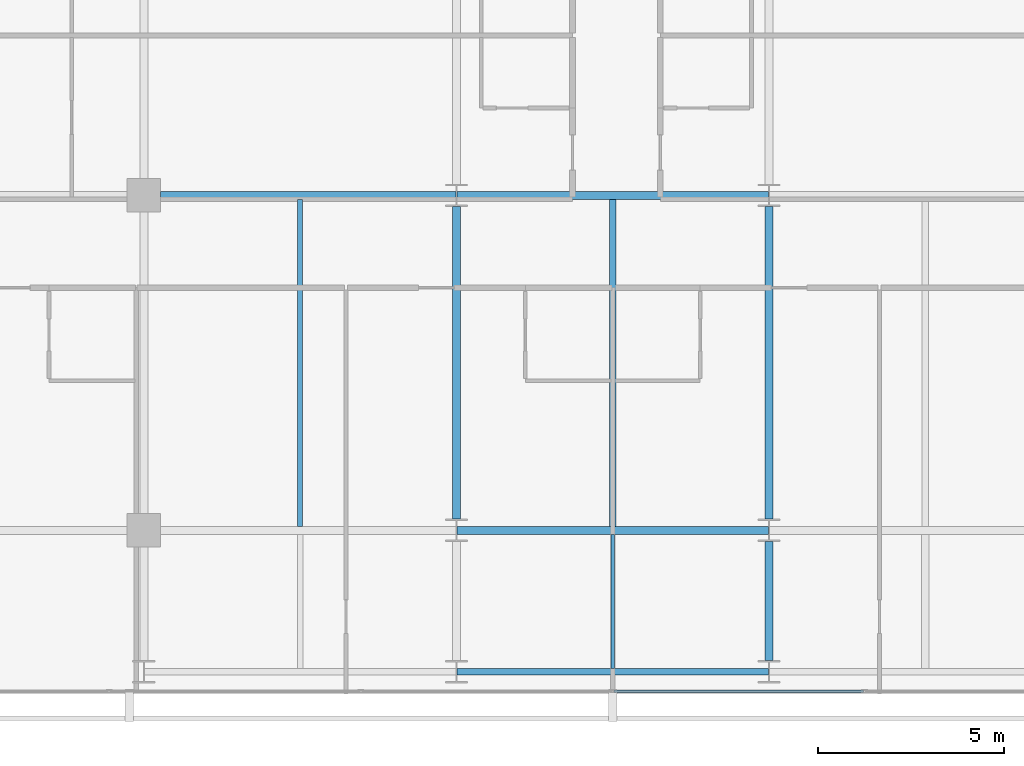
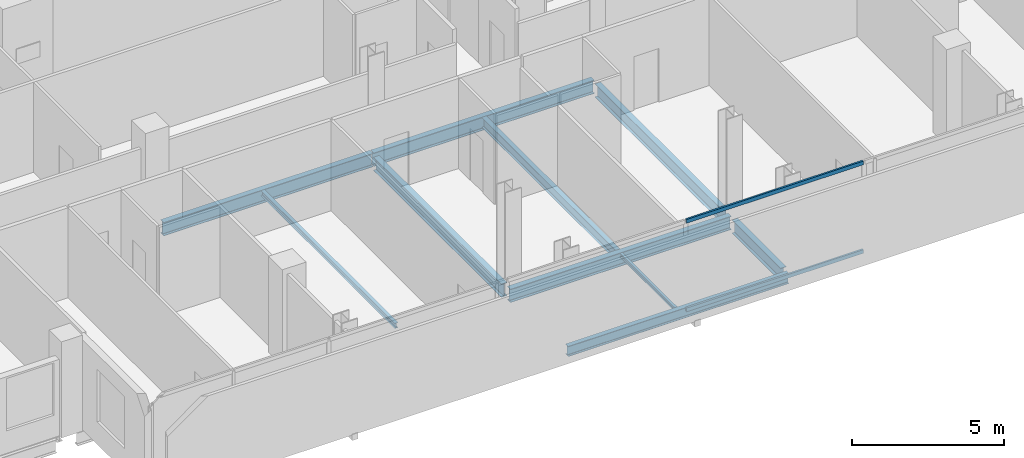
# One storey, part 7 of 34: 10 beams, 2 members, 1 element without a shape of its own.
"""IFC4 building model written with IfcOpenShell, lengths in metres."""

from ifc_helpers import new_model, si_unit, direction, frame, origin, origin_2d, place, context, subcontext, project, spatial, hollow_rectangle, i_section, extrude, material, layer, layer_set, material_profile, profile_set, type_object, element, aggregate, save


model = new_model("IFC4")

# Units and contexts
model_context = context("Model", 3, precision=1e-05, world=origin(), true_north=direction((0.0, 1.0)))
body_context = subcontext(model_context, "Body", "Model", "MODEL_VIEW")
ifc_project = project(units=[si_unit("LENGTHUNIT", "METRE"), si_unit("AREAUNIT", "SQUARE_METRE"), si_unit("VOLUMEUNIT", "CUBIC_METRE"), si_unit("PLANEANGLEUNIT", "RADIAN"), si_unit("MASSUNIT", "GRAM", prefix="KILO")], contexts=[model_context])

# Site, building, storey
site_placement = place(None, origin())
site = spatial("IfcSite", under=ifc_project, at=site_placement, CompositionType="ELEMENT")
building_placement = place(site_placement, origin())
building = spatial("IfcBuilding", under=site, at=building_placement, Name="Maruvema Waterfront Hotel and Observation Tower", CompositionType="ELEMENT")
storey_placement = place(building_placement, frame((0.0, 0.0, 212.10009765625)))
storey = spatial("IfcBuildingStorey", under=building, at=storey_placement, Name="L52", CompositionType="ELEMENT", Elevation=212.10009765625)

# Curtain wall, members
ifc_material_1 = material(Name="Anodised bronze aluminium and solar-control low-E IGU", Category="aluminium")
ifc_layer = layer(ifc_material_1, 0.159912109375, Name="Zone 2 Amber Inner Thermal Curtain Wall System CW-03")
ifc_layer_set = layer_set([ifc_layer], Name="Anodised bronze aluminium and solar-control low-E IGU")
curtain_wall_type = type_object("IfcCurtainWallType", Name="Zone 2 Amber Inner Thermal Curtain Wall System CW-03", PredefinedType="USERDEFINED", material=ifc_layer_set)
curtain_wall_placement = place(storey_placement, origin())
curtain_wall = element("IfcCurtainWall", 1, at=curtain_wall_placement, inside=storey, type_object=curtain_wall_type, Name="L52 Curtain Wall CW-L52-S", ObjectType="UNITISED CURTAIN WALL", PredefinedType="USERDEFINED")
ifc_material_2 = material(Name="Anodised architectural bronze aluminium", Category="aluminium")
ifc_material_profile_1 = material_profile(ifc_material_2, hollow_rectangle(XDim=0.070068359375, YDim=0.14990234375, WallThickness=0.00390625, at=origin_2d()), Name="ALU-T70x150")
ifc_profile_set_1 = profile_set([ifc_material_profile_1], Name="Anodised architectural bronze aluminium")
member_type = type_object("IfcMemberType", Name="Curtain Wall Horizontal Transom ALU-T70x150", PredefinedType="USERDEFINED", material=ifc_profile_set_1)
member_1_placement = place(storey_placement, frame((37.830078125, 4.679931640625, 0.02978515625), z_axis=(1.0, 0.0, 0.0), x_axis=(0.0, 1.0, 0.0)))
member_1 = element("IfcMember", 2, at=member_1_placement, type_object=member_type, Name="CW-03 transom 4.1", ObjectType="TRANSOM", PredefinedType="USERDEFINED", context=body_context, shape_type="SweptSolid", body=[
    extrude(hollow_rectangle(XDim=0.070068359375, YDim=0.14990234375, WallThickness=0.00390625, at=origin_2d()), origin(), (0.0, 0.0, 1.0), 6.70654296875),
])
member_2_placement = place(storey_placement, frame((37.830078125, 4.679931640625, 3.579833984375), z_axis=(1.0, 0.0, 0.0), x_axis=(0.0, 1.0, 0.0)))
member_2 = element("IfcMember", 3, at=member_2_placement, type_object=member_type, Name="CW-03 transom 4.2", ObjectType="TRANSOM", PredefinedType="USERDEFINED", context=body_context, shape_type="SweptSolid", body=[
    extrude(hollow_rectangle(XDim=0.070068359375, YDim=0.14990234375, WallThickness=0.00390625, at=origin_2d()), origin(), (0.0, 0.0, 1.0), 6.70654296875),
])
aggregate(curtain_wall, [member_1, member_2])

# Beams
ifc_material_3 = material(Name="Steel ASTM A572 Grade 50", Category="steel")
ifc_material_profile_2 = material_profile(ifc_material_3, i_section(OverallWidth=0.178955078125, OverallDepth=0.409912109375, WebThickness=0.0087890625, FlangeThickness=0.014404296875, FilletRadius=0.014892578125, at=origin_2d()), Name="W410x67.0")
ifc_profile_set_2 = profile_set([ifc_material_profile_2], Name="Steel ASTM A572 Grade 50")
beam_type_1 = type_object("IfcBeamType", Name="Perimeter Spandrel Beam W410x67.0", PredefinedType="SPANDREL", material=ifc_profile_set_2)
beam_1_placement = place(storey_placement, frame((33.612548828125, 5.199951171875, -0.445068359375), z_axis=(1.0, 0.0, 0.0), x_axis=(0.0, 1.0, 0.0)))
element("IfcBeam", 4, at=beam_1_placement, inside=storey, type_object=beam_type_1, Name="L52 Floor Girder EW-02", PredefinedType="SPANDREL", context=body_context, shape_type="SweptSolid", body=[
    extrude(i_section(OverallWidth=0.178955078125, OverallDepth=0.409912109375, WebThickness=0.0087890625, FlangeThickness=0.014404296875, FilletRadius=0.014892578125, at=origin_2d()), origin(), (0.0, 0.0, 1.0), 8.375),
])
ifc_material_4 = material(Name="Steel ASTM A572 Grade 50", Category="steel")
ifc_material_profile_3 = material_profile(ifc_material_4, i_section(OverallWidth=0.2109375, OverallDepth=0.5390625, WebThickness=0.01171875, FlangeThickness=0.018798828125, FilletRadius=0.014892578125, at=origin_2d()), Name="W530x109.0")
ifc_profile_set_3 = profile_set([ifc_material_profile_3], Name="Steel ASTM A572 Grade 50")
beam_type_2 = type_object("IfcBeamType", Name="Primary Floor Girder W530x109.0", PredefinedType="BEAM", material=ifc_profile_set_3)
beam_2_placement = place(storey_placement, frame((33.612548828125, 9.0, -0.509521484375), z_axis=(1.0, 0.0, 0.0), x_axis=(0.0, 1.0, 0.0)))
element("IfcBeam", 5, at=beam_2_placement, inside=storey, type_object=beam_type_2, Name="L52 Floor Girder EW-07", PredefinedType="BEAM", context=body_context, shape_type="SweptSolid", body=[
    extrude(i_section(OverallWidth=0.2109375, OverallDepth=0.5390625, WebThickness=0.01171875, FlangeThickness=0.018798828125, FilletRadius=0.014892578125, at=origin_2d()), origin(), (0.0, 0.0, 1.0), 8.375),
])
beam_3_placement = place(storey_placement, frame((25.64990234375, 18.0, -0.509521484375), z_axis=(1.0, 0.0, 0.0), x_axis=(0.0, 1.0, 0.0)))
element("IfcBeam", 6, at=beam_3_placement, inside=storey, type_object=beam_type_2, Name="L52 Floor Girder EW-13", PredefinedType="BEAM", context=body_context, shape_type="SweptSolid", body=[
    extrude(i_section(OverallWidth=0.2109375, OverallDepth=0.5390625, WebThickness=0.01171875, FlangeThickness=0.018798828125, FilletRadius=0.014892578125, at=origin_2d()), origin(), (0.0, 0.0, 1.0), 7.9375),
])
beam_4_placement = place(storey_placement, frame((33.612548828125, 18.0, -0.509521484375), z_axis=(1.0, 0.0, 0.0), x_axis=(0.0, 1.0, 0.0)))
element("IfcBeam", 7, at=beam_4_placement, inside=storey, type_object=beam_type_2, Name="L52 Floor Girder EW-14", PredefinedType="BEAM", context=body_context, shape_type="SweptSolid", body=[
    extrude(i_section(OverallWidth=0.2109375, OverallDepth=0.5390625, WebThickness=0.01171875, FlangeThickness=0.018798828125, FilletRadius=0.014892578125, at=origin_2d()), origin(), (0.0, 0.0, 1.0), 8.375),
])
beam_5_placement = place(storey_placement, frame((33.60009765625, 9.300048828125, -0.509521484375), z_axis=(0.0, 1.0, 0.0), x_axis=(-1.0, 0.0, 0.0)))
element("IfcBeam", 8, at=beam_5_placement, inside=storey, type_object=beam_type_2, Name="L52 Floor Girder NS-15", PredefinedType="BEAM", context=body_context, shape_type="SweptSolid", body=[
    extrude(i_section(OverallWidth=0.2109375, OverallDepth=0.5390625, WebThickness=0.01171875, FlangeThickness=0.018798828125, FilletRadius=0.014892578125, at=origin_2d()), origin(), (0.0, 0.0, 1.0), 8.39990234375),
])
beam_6_placement = place(storey_placement, frame((42.0, 5.5, -0.509521484375), z_axis=(0.0, 1.0, 0.0), x_axis=(-1.0, 0.0, 0.0)))
element("IfcBeam", 9, at=beam_6_placement, inside=storey, type_object=beam_type_2, Name="L52 Floor Girder NS-17", PredefinedType="BEAM", context=body_context, shape_type="SweptSolid", body=[
    extrude(i_section(OverallWidth=0.2109375, OverallDepth=0.5390625, WebThickness=0.01171875, FlangeThickness=0.018798828125, FilletRadius=0.014892578125, at=origin_2d()), origin(), (0.0, 0.0, 1.0), 3.199951171875),
])
beam_7_placement = place(storey_placement, frame((42.0, 9.300048828125, -0.509521484375), z_axis=(0.0, 1.0, 0.0), x_axis=(-1.0, 0.0, 0.0)))
element("IfcBeam", 10, at=beam_7_placement, inside=storey, type_object=beam_type_2, Name="L52 Floor Girder NS-18", PredefinedType="BEAM", context=body_context, shape_type="SweptSolid", body=[
    extrude(i_section(OverallWidth=0.2109375, OverallDepth=0.5390625, WebThickness=0.01171875, FlangeThickness=0.018798828125, FilletRadius=0.014892578125, at=origin_2d()), origin(), (0.0, 0.0, 1.0), 8.39990234375),
])
ifc_material_5 = material(Name="Steel ASTM A572 Grade 50", Category="steel")
ifc_material_profile_4 = material_profile(ifc_material_5, i_section(OverallWidth=0.10009765625, OverallDepth=0.153076171875, WebThickness=0.005859375, FlangeThickness=0.007080078125, FilletRadius=0.008056640625, at=origin_2d()), Name="W150x18.0")
ifc_profile_set_4 = profile_set([ifc_material_profile_4], Name="Steel ASTM A572 Grade 50")
beam_type_3 = type_object("IfcBeamType", Name="Secondary Floor Joist W150x18.0", PredefinedType="JOIST", material=ifc_profile_set_4)
beam_8_placement = place(storey_placement, frame((37.800048828125, 5.28955078125, -0.316650390625), z_axis=(0.0, 1.0, 0.0), x_axis=(-1.0, 0.0, 0.0)))
element("IfcBeam", 11, at=beam_8_placement, inside=storey, type_object=beam_type_3, Name="L52 Secondary Floor Joist JS-07", PredefinedType="JOIST", context=body_context, shape_type="SweptSolid", body=[
    extrude(i_section(OverallWidth=0.10009765625, OverallDepth=0.153076171875, WebThickness=0.005859375, FlangeThickness=0.007080078125, FilletRadius=0.008056640625, at=origin_2d()), origin(), (0.0, 0.0, 1.0), 3.60498046875),
])
ifc_material_6 = material(Name="Steel ASTM A572 Grade 50", Category="steel")
ifc_material_profile_5 = material_profile(ifc_material_6, i_section(OverallWidth=0.133056640625, OverallDepth=0.20703125, WebThickness=0.005859375, FlangeThickness=0.00830078125, FilletRadius=0.010009765625, at=origin_2d()), Name="W200x26.6")
ifc_profile_set_5 = profile_set([ifc_material_profile_5], Name="Steel ASTM A572 Grade 50")
beam_type_4 = type_object("IfcBeamType", Name="Secondary Floor Joist W200x26.6", PredefinedType="JOIST", material=ifc_profile_set_5)
beam_9_placement = place(storey_placement, frame((29.39990234375, 9.10546875, -0.343505859375), z_axis=(0.0, 1.0, 0.0), x_axis=(-1.0, 0.0, 0.0)))
element("IfcBeam", 12, at=beam_9_placement, inside=storey, type_object=beam_type_4, Name="L52 Secondary Floor Joist JS-06", PredefinedType="JOIST", context=body_context, shape_type="SweptSolid", body=[
    extrude(i_section(OverallWidth=0.133056640625, OverallDepth=0.20703125, WebThickness=0.005859375, FlangeThickness=0.00830078125, FilletRadius=0.010009765625, at=origin_2d()), origin(), (0.0, 0.0, 1.0), 8.7890625),
])
ifc_material_7 = material(Name="Steel ASTM A572 Grade 50", Category="steel")
ifc_material_profile_6 = material_profile(ifc_material_7, i_section(OverallWidth=0.177001953125, OverallDepth=0.403076171875, WebThickness=0.007568359375, FlangeThickness=0.010986328125, FilletRadius=0.014892578125, at=origin_2d()), Name="W410x53.0")
ifc_profile_set_6 = profile_set([ifc_material_profile_6], Name="Steel ASTM A572 Grade 50")
beam_type_5 = type_object("IfcBeamType", Name="Secondary Floor Joist W410x53.0", PredefinedType="JOIST", material=ifc_profile_set_6)
beam_10_placement = place(storey_placement, frame((37.800048828125, 9.10546875, -0.441650390625), z_axis=(0.0, 1.0, 0.0), x_axis=(-1.0, 0.0, 0.0)))
element("IfcBeam", 13, at=beam_10_placement, inside=storey, type_object=beam_type_5, Name="L52 Secondary Floor Joist JS-08", PredefinedType="JOIST", context=body_context, shape_type="SweptSolid", body=[
    extrude(i_section(OverallWidth=0.177001953125, OverallDepth=0.403076171875, WebThickness=0.007568359375, FlangeThickness=0.010986328125, FilletRadius=0.014892578125, at=origin_2d()), origin(), (0.0, 0.0, 1.0), 8.7890625),
])

save(model, "model.ifc")
